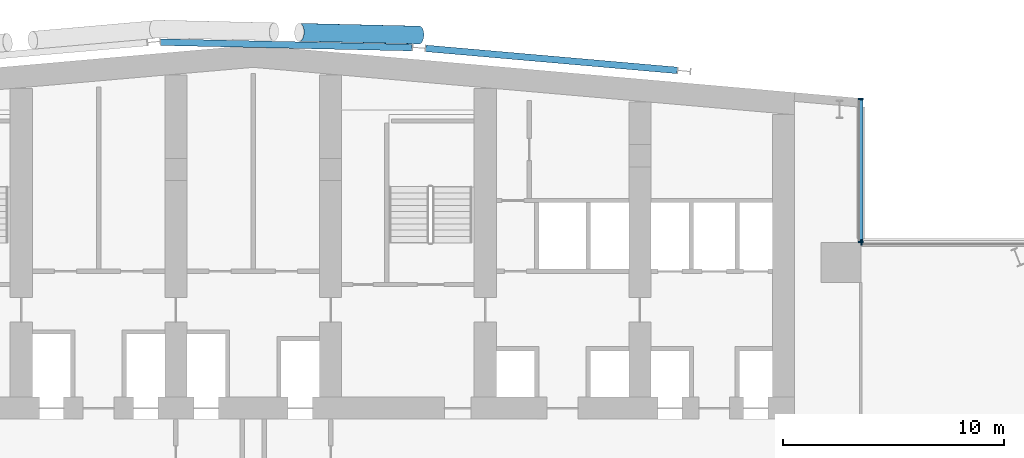
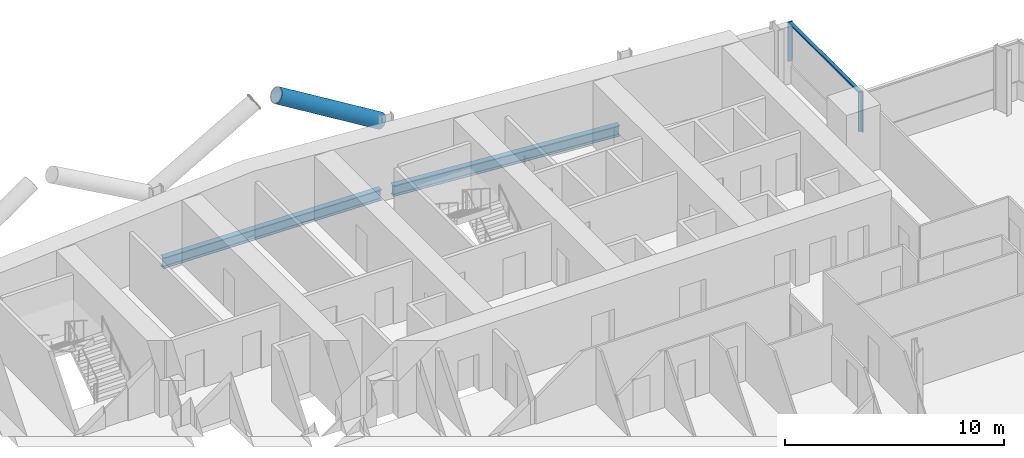
# One storey, part 9 of 26: 5 members, 2 beams, 2 elements without a shape of their own.
"""IFC4 building model written with IfcOpenShell, lengths in metres."""

import ifcopenshell
import ifcopenshell.guid

model = None  # the IFC model being written
_history = None  # IfcOwnerHistory: only IFC2X3 demands one
_inside = {}  # id of a spatial element -> (the spatial element, [elements in it])
_under = {}  # id of a project, library or spatial element -> (it, [spatial elements below it])
_declared = {}  # id of a project -> (the project, [libraries it declares])
_typed = {}  # id of a type object -> (the type object, [elements of that type])
_made_of = {}  # id of a material, layer set ... -> (it, [elements and type objects made of it])


def new_model(schema):
    """Start an empty IFC model of exactly this schema.

    Asked for "IFC4X3", IfcOpenShell would pick the latest addendum, in which some entities
    have other attributes; the version numbers below select the first issue.
    IFC2X3 requires an IfcOwnerHistory on every rooted entity: one is made here for all.
    """
    global model, _history
    if schema == "IFC4X3":
        model = ifcopenshell.file(schema_version=(4, 3, 0, 0))
    else:
        model = ifcopenshell.file(schema=schema)
    _inside.clear()
    _under.clear()
    _declared.clear()
    _typed.clear()
    _made_of.clear()
    _history = None
    if model.schema == "IFC2X3":
        org = make("IfcOrganization", Name="unknown")
        user = make(
            "IfcPersonAndOrganization",
            ThePerson=make("IfcPerson", FamilyName="unknown"),
            TheOrganization=org,
        )
        app = make(
            "IfcApplication",
            ApplicationDeveloper=org,
            Version="unknown",
            ApplicationFullName="unknown",
            ApplicationIdentifier="unknown",
        )
        _history = make(
            "IfcOwnerHistory",
            OwningUser=user,
            OwningApplication=app,
            ChangeAction="ADDED",
            CreationDate=0,
        )
    return model


def make(cls, **values):
    """One entity of the class cls with the attributes given. An attribute that is None is left unset."""
    return model.create_entity(
        cls, **{name: value for name, value in values.items() if value is not None}
    )


def rooted(cls, **values):
    """An entity with a GlobalId (a new one), such as an element, a storey or a relation."""
    return make(cls, GlobalId=ifcopenshell.guid.new(), OwnerHistory=_history, **values)


def si_unit(unit_type, name, prefix=None):
    """IfcSIUnit, for example si_unit("LENGTHUNIT", "METRE", prefix="MILLI")."""
    return make("IfcSIUnit", UnitType=unit_type, Prefix=prefix, Name=name)


def assignment(units):
    """IfcUnitAssignment: the units of a project."""
    return None if units is None else make("IfcUnitAssignment", Units=units)


def point(xyz):
    """IfcCartesianPoint."""
    return None if xyz is None else make("IfcCartesianPoint", Coordinates=xyz)


def direction(xyz):
    """IfcDirection."""
    return None if xyz is None else make("IfcDirection", DirectionRatios=xyz)


def frame(location, z_axis=None, x_axis=None):
    """IfcAxis2Placement3D, a coordinate frame: its origin and axes. An axis left out is left unset."""
    return make(
        "IfcAxis2Placement3D",
        Location=point(location),
        Axis=direction(z_axis),
        RefDirection=direction(x_axis),
    )


def frame_2d(location, x_axis=None):
    """IfcAxis2Placement2D, a coordinate frame in the plane: its origin and x axis."""
    return make(
        "IfcAxis2Placement2D", Location=point(location), RefDirection=direction(x_axis)
    )


def origin():
    """The frame at (0, 0, 0) with its axes left unset."""
    return frame((0.0, 0.0, 0.0))


def origin_2d():
    """The frame at (0, 0) in the plane with its x axis left unset."""
    return frame_2d((0.0, 0.0))


def place(relative_to, where):
    """IfcLocalPlacement: puts the frame where relative to a parent placement (None: the world)."""
    return make(
        "IfcLocalPlacement", PlacementRelTo=relative_to, RelativePlacement=where
    )


def context(
    kind, dimensions, precision=None, world=None, true_north=None, identifier=None
):
    """IfcGeometricRepresentationContext, for example the 3D "Model" context."""
    return make(
        "IfcGeometricRepresentationContext",
        ContextIdentifier=identifier,
        ContextType=kind,
        CoordinateSpaceDimension=dimensions,
        Precision=precision,
        WorldCoordinateSystem=world,
        TrueNorth=true_north,
    )


def subcontext(parent, identifier, kind, view, scale=None):
    """IfcGeometricRepresentationSubContext, for example "Body" below "Model"."""
    return make(
        "IfcGeometricRepresentationSubContext",
        ContextIdentifier=identifier,
        ContextType=kind,
        ParentContext=parent,
        TargetScale=scale,
        TargetView=view,
    )


def project(units=None, contexts=None):
    """IfcProject with its units and contexts."""
    return rooted(
        "IfcProject",
        Name="project",
        RepresentationContexts=contexts,
        UnitsInContext=assignment(units),
    )


def spatial(cls, under=None, at=None, **own):
    """A site, building, storey or space (cls), placed at a placement, below another one or the project."""
    s = rooted(cls, ObjectPlacement=at, **own)
    if under is not None:
        _under.setdefault(under.id(), (under, []))[1].append(s)
    return s


def profile(cls, at=None, kind="AREA", **sizes):
    """A parametric profile (cls). Its sizes go by their IFC names, for example OverallWidth=200.0."""
    return make(cls, ProfileType=kind, Position=at, **sizes)


def rectangle(**sizes):
    """IfcRectangleProfileDef."""
    return profile("IfcRectangleProfileDef", **sizes)


def hollow_circle(**sizes):
    """IfcCircleHollowProfileDef."""
    return profile("IfcCircleHollowProfileDef", **sizes)


def i_section(**sizes):
    """IfcIShapeProfileDef."""
    return profile("IfcIShapeProfileDef", **sizes)


def extrude(swept, where, along, depth):
    """IfcExtrudedAreaSolid: the profile swept, set in the frame where, extruded along a direction by depth."""
    return make(
        "IfcExtrudedAreaSolid",
        SweptArea=swept,
        Position=where,
        ExtrudedDirection=direction(along),
        Depth=depth,
    )


def shape(context_of_items, identifier, shape_type, items):
    """IfcShapeRepresentation: the items that make up one representation, for example the "Body"."""
    return make(
        "IfcShapeRepresentation",
        ContextOfItems=context_of_items,
        RepresentationIdentifier=identifier,
        RepresentationType=shape_type,
        Items=items,
    )


def material(Name=None, Category=None):
    """IfcMaterial."""
    return make("IfcMaterial", Name=Name, Category=Category)


def material_profile(
    of_material, cross_section, Name=None, Category=None, Priority=None
):
    """IfcMaterialProfile: a cross section and its material."""
    return make(
        "IfcMaterialProfile",
        Name=Name,
        Material=of_material,
        Profile=cross_section,
        Priority=Priority,
        Category=Category,
    )


def profile_set(profiles, Name=None, composite=None):
    """IfcMaterialProfileSet."""
    return make(
        "IfcMaterialProfileSet",
        Name=Name,
        MaterialProfiles=profiles,
        CompositeProfile=composite,
    )


def made_of(thing, what):
    """Note that an element or type object is made of a material, layer set ...; save() writes the relation."""
    if what is not None:
        _made_of.setdefault(what.id(), (what, []))[1].append(thing)
    return thing


def type_object(cls, material=None, **own):
    """A type object (cls), such as IfcWallType, which elements share."""
    return made_of(rooted(cls, **own), material)


def element(
    cls,
    number,
    at=None,
    inside=None,
    cuts=None,
    type_object=None,
    material=None,
    context=None,
    identifier="Body",
    shape_type=None,
    held_by="IfcProductDefinitionShape",
    body=None,
    shapes=None,
    **own,
):
    """One element of the class cls, such as IfcWall. Its Tag is "e" and its number.

    at: its placement. inside: the storey or other place that contains it. cuts: it is an
    opening in that element (IfcRelVoidsElement). A single representation is given by context,
    identifier, shape_type and body (its items); several are given by shapes. held_by: the class
    of the entity that holds the representations. save() writes the other relations.
    """
    e = rooted(cls, Tag="e%d" % number, ObjectPlacement=at, **own)
    if body is not None:
        shapes = [shape(context, identifier, shape_type, body)]
    if shapes is not None:
        e.Representation = make(held_by, Representations=shapes)
    if inside is not None:
        _inside.setdefault(inside.id(), (inside, []))[1].append(e)
    if cuts is not None:
        rooted(
            "IfcRelVoidsElement", RelatingBuildingElement=cuts, RelatedOpeningElement=e
        )
    if type_object is not None:
        _typed.setdefault(type_object.id(), (type_object, []))[1].append(e)
    return made_of(e, material)


def aggregate(whole, parts):
    """IfcRelAggregates: a whole, such as a stair, and the parts it consists of."""
    return rooted("IfcRelAggregates", RelatingObject=whole, RelatedObjects=parts)


def save(model, path):
    """Write the relations noted so far, then the file.

    IfcRelAggregates (storeys below a building ...), IfcRelContainedInSpatialStructure (elements
    in a storey), IfcRelDefinesByType, IfcRelAssociatesMaterial and IfcRelDeclares: one each for
    every whole, place, type object, material and project.
    """
    for whole, parts in _under.values():
        aggregate(whole, parts)
    for where, things in _inside.values():
        rooted(
            "IfcRelContainedInSpatialStructure",
            RelatedElements=things,
            RelatingStructure=where,
        )
    for kind, things in _typed.values():
        rooted("IfcRelDefinesByType", RelatedObjects=things, RelatingType=kind)
    for what, things in _made_of.values():
        rooted("IfcRelAssociatesMaterial", RelatedObjects=things, RelatingMaterial=what)
    for by, libraries in _declared.values():
        rooted("IfcRelDeclares", RelatingContext=by, RelatedDefinitions=libraries)
    model.write(path)


model = new_model("IFC4")

# Units and contexts
model_context = context("Model", 3, precision=1e-05, world=origin(), true_north=direction((0.0, 1.0)))
body_context = subcontext(model_context, "Body", "Model", "MODEL_VIEW")
ifc_project = project(units=[si_unit("LENGTHUNIT", "METRE"), si_unit("AREAUNIT", "SQUARE_METRE"), si_unit("VOLUMEUNIT", "CUBIC_METRE"), si_unit("PLANEANGLEUNIT", "RADIAN"), si_unit("MASSUNIT", "GRAM", prefix="KILO")], contexts=[model_context])

# Site, building, storey
site_placement = place(None, origin())
site = spatial("IfcSite", under=ifc_project, at=site_placement, CompositionType="ELEMENT")
building_placement = place(site_placement, origin())
building = spatial("IfcBuilding", under=site, at=building_placement, Name="Wharfspan Tower", CompositionType="ELEMENT")
storey_placement = place(building_placement, frame((0.0, 0.0, 114.699951)))
storey = spatial("IfcBuildingStorey", under=building, at=storey_placement, Name="L26", CompositionType="ELEMENT", Elevation=114.699951)

# Beams
ifc_material_1 = material(Name="Steel S355J2", Category="steel")
ifc_material_profile_1 = material_profile(ifc_material_1, i_section(OverallWidth=0.300049, OverallDepth=0.600098, WebThickness=0.015381, FlangeThickness=0.030029, FilletRadius=0.0271, at=origin_2d()))
ifc_profile_set_1 = profile_set([ifc_material_profile_1], Name="Steel S355J2")
beam_type = type_object("IfcBeamType", Name="Edge beam HEB 600", PredefinedType="SPANDREL", material=ifc_profile_set_1)
beam_1_placement = place(storey_placement, frame((59.695068, 49.791504, -0.699951), z_axis=(-0.996194, 0.087162, 0.0), x_axis=(-0.087162, -0.996194, 0.0)))
element("IfcBeam", 1, at=beam_1_placement, inside=storey, type_object=beam_type, Name="Edge beam N2 L26 R.4 to R.3", PredefinedType="SPANDREL", context=body_context, shape_type="SweptSolid", body=[
    extrude(i_section(OverallWidth=0.300049, OverallDepth=0.600098, WebThickness=0.015381, FlangeThickness=0.030029, FilletRadius=0.0271, at=origin_2d()), origin(), (0.0, 0.0, 1.0), 11.433594),
])
beam_2_placement = place(storey_placement, frame((36.307861, 51.070557, -0.699951), z_axis=(0.99976, -0.021888, 0.0), x_axis=(0.021888, 0.99976, 0.0)))
element("IfcBeam", 2, at=beam_2_placement, inside=storey, type_object=beam_type, Name="Edge beam L26 R.2 to R.3", PredefinedType="SPANDREL", context=body_context, shape_type="SweptSolid", body=[
    extrude(i_section(OverallWidth=0.300049, OverallDepth=0.600098, WebThickness=0.015381, FlangeThickness=0.030029, FilletRadius=0.0271, at=origin_2d()), origin(), (0.0, 0.0, 1.0), 11.388184),
])

# Curtain wall, member
ifc_material_2 = material(Name="Aluminium 6063-T6", Category="aluminium")
curtain_wall_type = type_object("IfcCurtainWallType", Name="CURTAIN WALL PROW AND END", PredefinedType="NOTDEFINED", material=ifc_material_2)
curtain_wall_1_placement = place(storey_placement, origin())
curtain_wall_1 = element("IfcCurtainWall", 3, at=curtain_wall_1_placement, inside=storey, type_object=curtain_wall_type, Name="Curtain wall NRE-H", PredefinedType="NOTDEFINED")
ifc_material_profile_2 = material_profile(ifc_material_2, rectangle(XDim=0.23999, YDim=0.060059, at=origin_2d()))
ifc_profile_set_2 = profile_set([ifc_material_profile_2], Name="Aluminium 6063-T6")
member_type_1 = type_object("IfcMemberType", Name="MULLION PROW AND END 60x240", PredefinedType="MULLION", material=ifc_profile_set_2)
member_1_placement = place(storey_placement, frame((68.030029, 42.0, 1.0), z_axis=(0.0, 0.0, 1.0), x_axis=(0.0, -1.0, 0.0)))
member_1 = element("IfcMember", 4, at=member_1_placement, type_object=member_type_1, Name="Curtain wall NRE-H mullion 2", PredefinedType="MULLION", context=body_context, shape_type="SweptSolid", body=[
    extrude(rectangle(XDim=0.23999, YDim=0.060059, at=origin_2d()), origin(), (0.0, 0.0, 1.0), 2.199951),
])
aggregate(curtain_wall_1, [member_1])

# Curtain wall, members
curtain_wall_2_placement = place(storey_placement, origin())
curtain_wall_2 = element("IfcCurtainWall", 5, at=curtain_wall_2_placement, inside=storey, type_object=curtain_wall_type, Name="Curtain wall NRE-V", PredefinedType="NOTDEFINED")
member_2_placement = place(storey_placement, frame((68.0, 42.030029, 1.0), z_axis=(0.0, 0.0, 1.0), x_axis=(-1.0, 0.0, 0.0)))
member_2 = element("IfcMember", 6, at=member_2_placement, type_object=member_type_1, Name="Curtain wall NRE-V mullion 1", PredefinedType="MULLION", context=body_context, shape_type="SweptSolid", body=[
    extrude(rectangle(XDim=0.23999, YDim=0.060059, at=origin_2d()), origin(), (0.0, 0.0, 1.0), 2.199951),
])
member_3_placement = place(storey_placement, frame((68.0, 48.494873, 1.0), z_axis=(0.0, 0.0, 1.0), x_axis=(-1.0, 0.0, 0.0)))
member_3 = element("IfcMember", 7, at=member_3_placement, type_object=member_type_1, Name="Curtain wall NRE-V mullion 2", PredefinedType="MULLION", context=body_context, shape_type="SweptSolid", body=[
    extrude(rectangle(XDim=0.23999, YDim=0.060059, at=origin_2d()), origin(), (0.0, 0.0, 1.0), 2.199951),
])

# Member
ifc_material_3 = material(Name="Steel S460NH", Category="steel")
ifc_material_profile_3 = material_profile(ifc_material_3, hollow_circle(Radius=0.406494, WallThickness=0.040039, at=origin_2d()))
ifc_profile_set_3 = profile_set([ifc_material_profile_3], Name="Steel S460NH")
member_type_2 = type_object("IfcMemberType", Name="Mega brace CHS 813x40", PredefinedType="BRACE", material=ifc_profile_set_3)
member_4_placement = place(storey_placement, frame((48.012695, 51.390381, 2.900146), z_axis=(-0.857327, 0.019686, 0.514396), x_axis=(-0.022956, -0.999736, 0.0)))
element("IfcMember", 8, at=member_4_placement, inside=storey, type_object=member_type_2, Name="Mega brace N7 L27 part 3", PredefinedType="BRACE", context=body_context, shape_type="SweptSolid", body=[
    extrude(hollow_circle(Radius=0.406494, WallThickness=0.040039, at=origin_2d()), origin(), (0.0, 0.0, 1.0), 6.324707),
])

ifc_material_profile_4 = material_profile(ifc_material_2, rectangle(XDim=0.179932, YDim=0.080078, at=origin_2d()))
ifc_profile_set_4 = profile_set([ifc_material_profile_4], Name="Aluminium 6063-T6")
member_type_3 = type_object("IfcMemberType", Name="TRANSOM PROW AND END 80x180", PredefinedType="USERDEFINED", material=ifc_profile_set_4)
member_5_placement = place(storey_placement, frame((68.0, 42.060059, 3.160156), z_axis=(0.0, 1.0, 0.0), x_axis=(-1.0, 0.0, 0.0)))
member_5 = element("IfcMember", 9, at=member_5_placement, type_object=member_type_3, Name="Curtain wall NRE-V transom 1", ObjectType="TRANSOM", PredefinedType="USERDEFINED", context=body_context, shape_type="SweptSolid", body=[
    extrude(rectangle(XDim=0.179932, YDim=0.080078, at=origin_2d()), origin(), (0.0, 0.0, 1.0), 6.404785),
])

aggregate(curtain_wall_2, [member_2, member_3, member_5])

save(model, "model.ifc")
